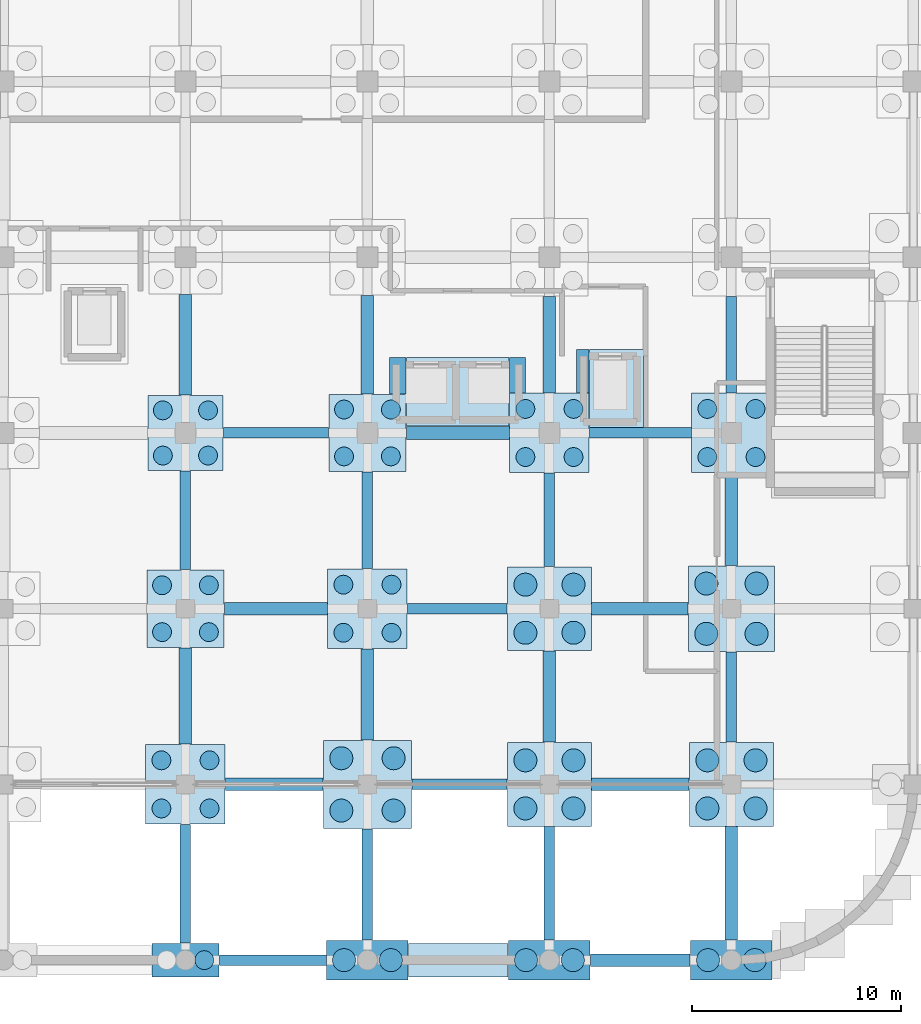
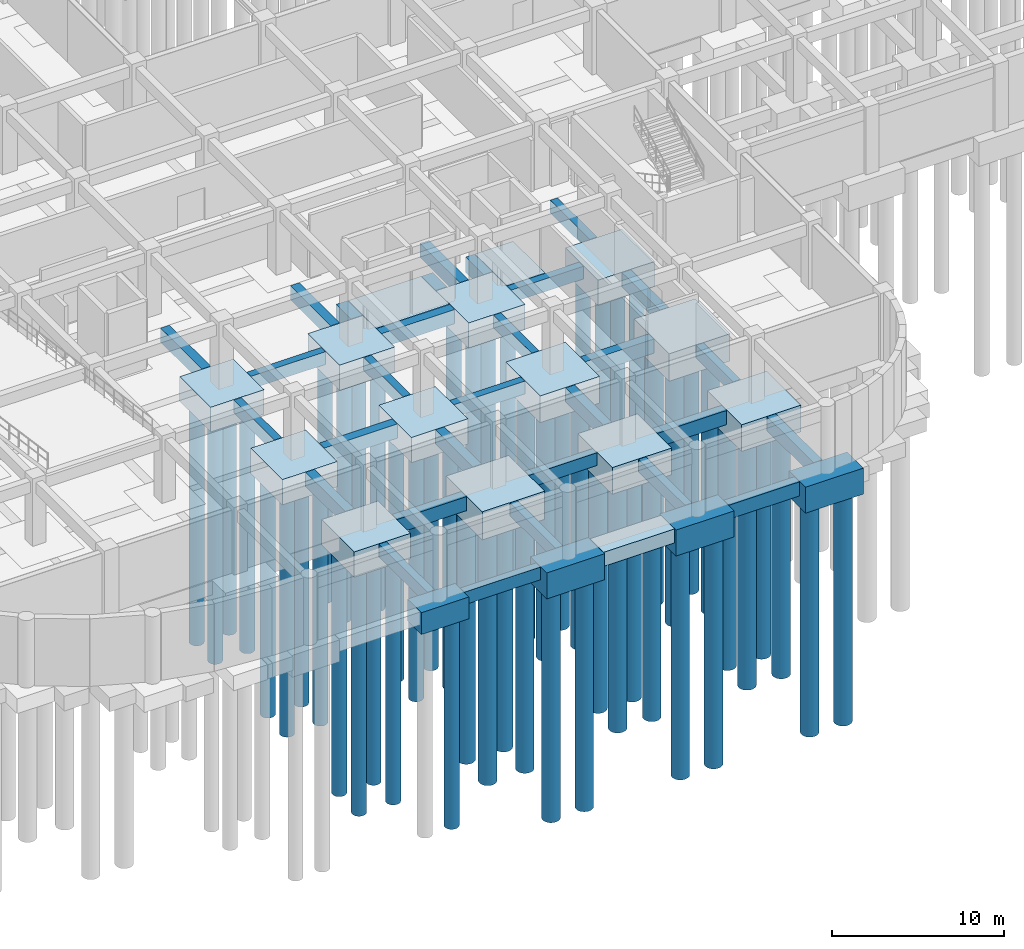
# One storey, part 2 of 33: 55 piles, 49 footings.
"""IFC4 building model written with IfcOpenShell, lengths in metres."""

from ifc_helpers import new_model, si_unit, derived_unit, direction, frame, origin, origin_2d, place, context, subcontext, project, spatial, rectangle, circle, extrude, material, material_profile, profile_set, type_object, element, save


model = new_model("IFC4")

# Units and contexts
model_context = context("Model", 3, precision=1e-05, world=origin(), true_north=direction((0.0, 1.0)))
body_context = subcontext(model_context, "Body", "Model", "MODEL_VIEW")
ifc_project = project(units=[si_unit("LENGTHUNIT", "METRE"), si_unit("AREAUNIT", "SQUARE_METRE"), si_unit("VOLUMEUNIT", "CUBIC_METRE"), si_unit("PLANEANGLEUNIT", "RADIAN"), si_unit("MASSUNIT", "GRAM", prefix="KILO"), derived_unit("THERMALTRANSMITTANCEUNIT", [(si_unit("MASSUNIT", "GRAM", prefix="KILO"), 1), (si_unit("TIMEUNIT", "SECOND"), -3), (si_unit("THERMODYNAMICTEMPERATUREUNIT", "KELVIN"), -1)])], contexts=[model_context])

# Site, building, storey
site_placement = place(None, origin())
site = spatial("IfcSite", under=ifc_project, at=site_placement, CompositionType="ELEMENT")
building_placement = place(site_placement, origin())
building = spatial("IfcBuilding", under=site, at=building_placement, Name="Qinzheling Arcade Emporium", CompositionType="ELEMENT")
storey_placement = place(building_placement, frame((0.0, 0.0, -9.60009765625)))
storey = spatial("IfcBuildingStorey", under=building, at=storey_placement, Name="B2", CompositionType="ELEMENT", Elevation=-9.60009765625)

# Footings
ifc_material = material(Name="Concrete C40", Category="concrete")
footing_type_1 = type_object("IfcFootingType", Name="Canopy Pad Footing 2600x2600x1100 C40", PredefinedType="PAD_FOOTING", material=ifc_material)
footing_1_placement = place(storey_placement, frame((53.800048828125, 28.159912109375, -1.099853515625), z_axis=(0.0, 0.0, 1.0), x_axis=(1.0, 0.0, 0.0)))
element("IfcFooting", 1, at=footing_1_placement, inside=storey, type_object=footing_type_1, Name="Lift Pit Mat Pad FND-PF-LF-LF01-1", PredefinedType="PAD_FOOTING", context=body_context, shape_type="SweptSolid", body=[
    extrude(rectangle(XDim=0.595947265625, YDim=2.075927734375, at=origin_2d()), origin(), (0.0, 0.0, 1.0), 1.10009765625),
])
footing_2_placement = place(storey_placement, frame((55.409912109375, 27.3349609375, -1.099853515625), z_axis=(0.0, 0.0, 1.0), x_axis=(1.0, 0.0, 0.0)))
element("IfcFooting", 2, at=footing_2_placement, inside=storey, type_object=footing_type_1, Name="Lift Pit Mat Pad FND-PF-LF-LF01-2", PredefinedType="PAD_FOOTING", context=body_context, shape_type="SweptSolid", body=[
    extrude(rectangle(XDim=2.575927734375, YDim=3.72607421875, at=origin_2d()), origin(), (0.0, 0.0, 1.0), 1.10009765625),
])
footing_3_placement = place(storey_placement, frame((44.949951171875, 27.93505859375, -1.099853515625), z_axis=(0.0, 0.0, 1.0), x_axis=(1.0, 0.0, 0.0)))
element("IfcFooting", 3, at=footing_3_placement, inside=storey, type_object=footing_type_1, Name="Lift Pit Mat Pad FND-PF-LF-LP01-1", PredefinedType="PAD_FOOTING", context=body_context, shape_type="SweptSolid", body=[
    extrude(rectangle(XDim=0.7958984375, YDim=1.72607421875, at=origin_2d()), origin(), (0.0, 0.0, 1.0), 1.10009765625),
])
footing_4_placement = place(storey_placement, frame((47.824951171875, 27.159912109375, -1.099853515625), z_axis=(0.0, 0.0, 1.0), x_axis=(1.0, 0.0, 0.0)))
element("IfcFooting", 4, at=footing_4_placement, inside=storey, type_object=footing_type_1, Name="Lift Pit Mat Pad FND-PF-LF-LP01-2", PredefinedType="PAD_FOOTING", context=body_context, shape_type="SweptSolid", body=[
    extrude(rectangle(XDim=4.906005859375, YDim=3.27587890625, at=origin_2d()), origin(), (0.0, 0.0, 1.0), 1.10009765625),
])
footing_5_placement = place(storey_placement, frame((50.675048828125, 27.9599609375, -1.099853515625), z_axis=(0.0, 0.0, 1.0), x_axis=(1.0, 0.0, 0.0)))
element("IfcFooting", 5, at=footing_5_placement, inside=storey, type_object=footing_type_1, Name="Lift Pit Mat Pad FND-PF-LF-LP01-3", PredefinedType="PAD_FOOTING", context=body_context, shape_type="SweptSolid", body=[
    extrude(rectangle(XDim=0.74609375, YDim=1.676025390625, at=origin_2d()), origin(), (0.0, 0.0, 1.0), 1.10009765625),
])
footing_type_2 = type_object("IfcFootingType", Name="Foundation Tie Beam 500x900 C40", PredefinedType="FOOTING_BEAM", material=ifc_material)
footing_6_placement = place(storey_placement, frame((38.97509765625, 0.0, -0.89990234375), z_axis=(0.0, 0.0, 1.0), x_axis=(1.0, 0.0, 0.0)))
element("IfcFooting", 6, at=footing_6_placement, inside=storey, type_object=footing_type_2, Name="Foundation Tie FND-FB-001", PredefinedType="FOOTING_BEAM", context=body_context, shape_type="SweptSolid", body=[
    extrude(rectangle(XDim=5.110107421875, YDim=0.5, at=origin_2d()), origin(), (0.0, 0.0, 1.0), 0.89990234375),
])
footing_7_placement = place(storey_placement, frame((47.89990234375, 8.39990234375, -0.89990234375), z_axis=(0.0, 0.0, 1.0), x_axis=(1.0, 0.0, 0.0)))
element("IfcFooting", 7, at=footing_7_placement, inside=storey, type_object=footing_type_2, Name="Foundation Tie FND-FB-009", PredefinedType="FOOTING_BEAM", context=body_context, shape_type="SweptSolid", body=[
    extrude(rectangle(XDim=4.56005859375, YDim=0.5, at=origin_2d()), origin(), (0.0, 0.0, 1.0), 0.89990234375),
])
footing_8_placement = place(storey_placement, frame((47.800048828125, 16.800048828125, -0.89990234375), z_axis=(0.0, 0.0, 1.0), x_axis=(1.0, 0.0, 0.0)))
element("IfcFooting", 8, at=footing_8_placement, inside=storey, type_object=footing_type_2, Name="Foundation Tie FND-FB-023", PredefinedType="FOOTING_BEAM", context=body_context, shape_type="SweptSolid", body=[
    extrude(rectangle(XDim=4.760009765625, YDim=0.5, at=origin_2d()), origin(), (0.0, 0.0, 1.0), 0.89990234375),
])
footing_9_placement = place(storey_placement, frame((39.125, 25.199951171875, -0.89990234375), z_axis=(0.0, 0.0, 1.0), x_axis=(1.0, 0.0, 0.0)))
element("IfcFooting", 9, at=footing_9_placement, inside=storey, type_object=footing_type_2, Name="Foundation Tie FND-FB-037", PredefinedType="FOOTING_BEAM", context=body_context, shape_type="SweptSolid", body=[
    extrude(rectangle(XDim=5.010009765625, YDim=0.5, at=origin_2d()), origin(), (0.0, 0.0, 1.0), 0.89990234375),
])
footing_10_placement = place(storey_placement, frame((56.550048828125, 25.199951171875, -0.89990234375), z_axis=(0.0, 0.0, 1.0), x_axis=(1.0, 0.0, 0.0)))
element("IfcFooting", 10, at=footing_10_placement, inside=storey, type_object=footing_type_2, Name="Foundation Tie FND-FB-039", PredefinedType="FOOTING_BEAM", context=body_context, shape_type="SweptSolid", body=[
    extrude(rectangle(XDim=4.860107421875, YDim=0.5, at=origin_2d()), origin(), (0.0, 0.0, 1.0), 0.89990234375),
])
footing_11_placement = place(storey_placement, frame((34.800048828125, 3.64990234375, -0.89990234375), z_axis=(0.0, 0.0, 1.0), x_axis=(1.0, 0.0, 0.0)))
element("IfcFooting", 11, at=footing_11_placement, inside=storey, type_object=footing_type_2, Name="Foundation Tie FND-FB-199", PredefinedType="FOOTING_BEAM", context=body_context, shape_type="SweptSolid", body=[
    extrude(rectangle(XDim=0.5, YDim=5.659912109375, at=origin_2d()), origin(), (0.0, 0.0, 1.0), 0.89990234375),
])
footing_12_placement = place(storey_placement, frame((34.800048828125, 21.02490234375, -0.89990234375), z_axis=(0.0, 0.0, 1.0), x_axis=(1.0, 0.0, 0.0)))
element("IfcFooting", 12, at=footing_12_placement, inside=storey, type_object=footing_type_2, Name="Foundation Tie FND-FB-201", PredefinedType="FOOTING_BEAM", context=body_context, shape_type="SweptSolid", body=[
    extrude(rectangle(XDim=0.5, YDim=4.7099609375, at=origin_2d()), origin(), (0.0, 0.0, 1.0), 0.89990234375),
])
footing_13_placement = place(storey_placement, frame((43.5, 3.625, -0.89990234375), z_axis=(0.0, 0.0, 1.0), x_axis=(1.0, 0.0, 0.0)))
element("IfcFooting", 13, at=footing_13_placement, inside=storey, type_object=footing_type_2, Name="Foundation Tie FND-FB-207", PredefinedType="FOOTING_BEAM", context=body_context, shape_type="SweptSolid", body=[
    extrude(rectangle(XDim=0.5, YDim=5.31005859375, at=origin_2d()), origin(), (0.0, 0.0, 1.0), 0.89990234375),
])
footing_14_placement = place(storey_placement, frame((43.5, 21.02490234375, -0.89990234375), z_axis=(0.0, 0.0, 1.0), x_axis=(1.0, 0.0, 0.0)))
element("IfcFooting", 14, at=footing_14_placement, inside=storey, type_object=footing_type_2, Name="Foundation Tie FND-FB-209", PredefinedType="FOOTING_BEAM", context=body_context, shape_type="SweptSolid", body=[
    extrude(rectangle(XDim=0.5, YDim=4.610107421875, at=origin_2d()), origin(), (0.0, 0.0, 1.0), 0.89990234375),
])
footing_15_placement = place(storey_placement, frame((52.199951171875, 3.675048828125, -0.89990234375), z_axis=(0.0, 0.0, 1.0), x_axis=(1.0, 0.0, 0.0)))
element("IfcFooting", 15, at=footing_15_placement, inside=storey, type_object=footing_type_2, Name="Foundation Tie FND-FB-215", PredefinedType="FOOTING_BEAM", context=body_context, shape_type="SweptSolid", body=[
    extrude(rectangle(XDim=0.5, YDim=5.409912109375, at=origin_2d()), origin(), (0.0, 0.0, 1.0), 0.89990234375),
])
footing_16_placement = place(storey_placement, frame((52.199951171875, 21.050048828125, -0.89990234375), z_axis=(0.0, 0.0, 1.0), x_axis=(1.0, 0.0, 0.0)))
element("IfcFooting", 16, at=footing_16_placement, inside=storey, type_object=footing_type_2, Name="Foundation Tie FND-FB-217", PredefinedType="FOOTING_BEAM", context=body_context, shape_type="SweptSolid", body=[
    extrude(rectangle(XDim=0.5, YDim=4.4599609375, at=origin_2d()), origin(), (0.0, 0.0, 1.0), 0.89990234375),
])
footing_17_placement = place(storey_placement, frame((60.89990234375, 12.574951171875, -0.89990234375), z_axis=(0.0, 0.0, 1.0), x_axis=(1.0, 0.0, 0.0)))
element("IfcFooting", 17, at=footing_17_placement, inside=storey, type_object=footing_type_2, Name="Foundation Tie FND-FB-225", PredefinedType="FOOTING_BEAM", context=body_context, shape_type="SweptSolid", body=[
    extrude(rectangle(XDim=0.5, YDim=4.31005859375, at=origin_2d()), origin(), (0.0, 0.0, 1.0), 0.89990234375),
])
footing_18_placement = place(storey_placement, frame((60.89990234375, 29.425048828125, -0.89990234375), z_axis=(0.0, 0.0, 1.0), x_axis=(1.0, 0.0, 0.0)))
element("IfcFooting", 18, at=footing_18_placement, inside=storey, type_object=footing_type_2, Name="Foundation Tie FND-FB-227", PredefinedType="FOOTING_BEAM", context=body_context, shape_type="SweptSolid", body=[
    extrude(rectangle(XDim=0.5, YDim=4.610107421875, at=origin_2d()), origin(), (0.0, 0.0, 1.0), 0.89990234375),
])
footing_type_3 = type_object("IfcFootingType", Name="Foundation Tie Beam 600x1000 C40", PredefinedType="FOOTING_BEAM", material=ifc_material)
footing_19_placement = place(storey_placement, frame((56.550048828125, 0.0, -1.0), z_axis=(0.0, 0.0, 1.0), x_axis=(1.0, 0.0, 0.0)))
element("IfcFooting", 19, at=footing_19_placement, inside=storey, type_object=footing_type_3, Name="Foundation Tie FND-FB-002", PredefinedType="FOOTING_BEAM", context=body_context, shape_type="SweptSolid", body=[
    extrude(rectangle(XDim=4.760009765625, YDim=0.60009765625, at=origin_2d()), origin(), (0.0, 0.0, 1.0), 1.0),
])
for number, where, z_axis, x_axis, name in (
    (20, (39.050048828125, 8.39990234375, -1.0), (0.0, 0.0, 1.0), (1.0, 0.0, 0.0), "Foundation Tie FND-FB-008"),
    (21, (56.550048828125, 8.39990234375, -1.0), (0.0, 0.0, 1.0), (1.0, 0.0, 0.0), "Foundation Tie FND-FB-010"),
):
    element("IfcFooting", number, at=place(storey_placement, frame(where, z_axis=z_axis, x_axis=x_axis)), inside=storey, type_object=footing_type_3, Name=name, PredefinedType="FOOTING_BEAM", context=body_context, shape_type="SweptSolid", body=[
        extrude(rectangle(XDim=4.659912109375, YDim=0.60009765625, at=origin_2d()), origin(), (0.0, 0.0, 1.0), 1.0),
    ])
footing_20_placement = place(storey_placement, frame((39.125, 16.800048828125, -1.0), z_axis=(0.0, 0.0, 1.0), x_axis=(1.0, 0.0, 0.0)))
element("IfcFooting", 22, at=footing_20_placement, inside=storey, type_object=footing_type_3, Name="Foundation Tie FND-FB-022", PredefinedType="FOOTING_BEAM", context=body_context, shape_type="SweptSolid", body=[
    extrude(rectangle(XDim=4.909912109375, YDim=0.60009765625, at=origin_2d()), origin(), (0.0, 0.0, 1.0), 1.0),
])
footing_21_placement = place(storey_placement, frame((56.52490234375, 16.800048828125, -1.0), z_axis=(0.0, 0.0, 1.0), x_axis=(1.0, 0.0, 0.0)))
element("IfcFooting", 23, at=footing_21_placement, inside=storey, type_object=footing_type_3, Name="Foundation Tie FND-FB-024", PredefinedType="FOOTING_BEAM", context=body_context, shape_type="SweptSolid", body=[
    extrude(rectangle(XDim=4.610107421875, YDim=0.60009765625, at=origin_2d()), origin(), (0.0, 0.0, 1.0), 1.0),
])
footing_22_placement = place(storey_placement, frame((47.824951171875, 25.199951171875, -1.0), z_axis=(0.0, 0.0, 1.0), x_axis=(1.0, 0.0, 0.0)))
element("IfcFooting", 24, at=footing_22_placement, inside=storey, type_object=footing_type_3, Name="Foundation Tie FND-FB-038", PredefinedType="FOOTING_BEAM", context=body_context, shape_type="SweptSolid", body=[
    extrude(rectangle(XDim=4.909912109375, YDim=0.60009765625, at=origin_2d()), origin(), (0.0, 0.0, 1.0), 1.0),
])
footing_23_placement = place(storey_placement, frame((34.800048828125, 12.625, -1.0), z_axis=(0.0, 0.0, 1.0), x_axis=(1.0, 0.0, 0.0)))
element("IfcFooting", 25, at=footing_23_placement, inside=storey, type_object=footing_type_3, Name="Foundation Tie FND-FB-200", PredefinedType="FOOTING_BEAM", context=body_context, shape_type="SweptSolid", body=[
    extrude(rectangle(XDim=0.60009765625, YDim=4.610107421875, at=origin_2d()), origin(), (0.0, 0.0, 1.0), 1.0),
])
footing_24_placement = place(storey_placement, frame((34.800048828125, 29.425048828125, -1.0), z_axis=(0.0, 0.0, 1.0), x_axis=(1.0, 0.0, 0.0)))
element("IfcFooting", 26, at=footing_24_placement, inside=storey, type_object=footing_type_3, Name="Foundation Tie FND-FB-202", PredefinedType="FOOTING_BEAM", context=body_context, shape_type="SweptSolid", body=[
    extrude(rectangle(XDim=0.60009765625, YDim=4.81005859375, at=origin_2d()), origin(), (0.0, 0.0, 1.0), 1.0),
])
footing_25_placement = place(storey_placement, frame((43.5, 12.699951171875, -1.0), z_axis=(0.0, 0.0, 1.0), x_axis=(1.0, 0.0, 0.0)))
element("IfcFooting", 27, at=footing_25_placement, inside=storey, type_object=footing_type_3, Name="Foundation Tie FND-FB-208", PredefinedType="FOOTING_BEAM", context=body_context, shape_type="SweptSolid", body=[
    extrude(rectangle(XDim=0.60009765625, YDim=4.360107421875, at=origin_2d()), origin(), (0.0, 0.0, 1.0), 1.0),
])
footing_26_placement = place(storey_placement, frame((43.5, 29.425048828125, -1.0), z_axis=(0.0, 0.0, 1.0), x_axis=(1.0, 0.0, 0.0)))
element("IfcFooting", 28, at=footing_26_placement, inside=storey, type_object=footing_type_3, Name="Foundation Tie FND-FB-210", PredefinedType="FOOTING_BEAM", context=body_context, shape_type="SweptSolid", body=[
    extrude(rectangle(XDim=0.60009765625, YDim=4.7099609375, at=origin_2d()), origin(), (0.0, 0.0, 1.0), 1.0),
])
footing_27_placement = place(storey_placement, frame((52.199951171875, 12.60009765625, -1.0), z_axis=(0.0, 0.0, 1.0), x_axis=(1.0, 0.0, 0.0)))
element("IfcFooting", 29, at=footing_27_placement, inside=storey, type_object=footing_type_3, Name="Foundation Tie FND-FB-216", PredefinedType="FOOTING_BEAM", context=body_context, shape_type="SweptSolid", body=[
    extrude(rectangle(XDim=0.60009765625, YDim=4.360107421875, at=origin_2d()), origin(), (0.0, 0.0, 1.0), 1.0),
])
footing_28_placement = place(storey_placement, frame((52.199951171875, 29.425048828125, -1.0), z_axis=(0.0, 0.0, 1.0), x_axis=(1.0, 0.0, 0.0)))
element("IfcFooting", 30, at=footing_28_placement, inside=storey, type_object=footing_type_3, Name="Foundation Tie FND-FB-218", PredefinedType="FOOTING_BEAM", context=body_context, shape_type="SweptSolid", body=[
    extrude(rectangle(XDim=0.60009765625, YDim=4.610107421875, at=origin_2d()), origin(), (0.0, 0.0, 1.0), 1.0),
])
footing_29_placement = place(storey_placement, frame((60.89990234375, 3.675048828125, -1.0), z_axis=(0.0, 0.0, 1.0), x_axis=(1.0, 0.0, 0.0)))
element("IfcFooting", 31, at=footing_29_placement, inside=storey, type_object=footing_type_3, Name="Foundation Tie FND-FB-224", PredefinedType="FOOTING_BEAM", context=body_context, shape_type="SweptSolid", body=[
    extrude(rectangle(XDim=0.60009765625, YDim=5.409912109375, at=origin_2d()), origin(), (0.0, 0.0, 1.0), 1.0),
])
footing_30_placement = place(storey_placement, frame((60.89990234375, 21.074951171875, -1.0), z_axis=(0.0, 0.0, 1.0), x_axis=(1.0, 0.0, 0.0)))
element("IfcFooting", 32, at=footing_30_placement, inside=storey, type_object=footing_type_3, Name="Foundation Tie FND-FB-226", PredefinedType="FOOTING_BEAM", context=body_context, shape_type="SweptSolid", body=[
    extrude(rectangle(XDim=0.60009765625, YDim=4.409912109375, at=origin_2d()), origin(), (0.0, 0.0, 1.0), 1.0),
])
footing_type_4 = type_object("IfcFootingType", Name="Four-Pile Atrium Cap 4000x4000x1900 C40", PredefinedType="PILE_CAP", material=ifc_material)
for number, where, z_axis, x_axis, name in (
    (33, (52.199951171875, 8.39990234375, -1.89990234375), (0.0, 0.0, 1.0), (1.0, 0.0, 0.0), "Pile Cap FND-PC-047"),
    (34, (52.199951171875, 16.800048828125, -1.89990234375), (0.0, 0.0, 1.0), (1.0, 0.0, 0.0), "Pile Cap FND-PC-048"),
    (35, (60.89990234375, 8.39990234375, -1.89990234375), (0.0, 0.0, 1.0), (1.0, 0.0, 0.0), "Pile Cap FND-PC-058"),
):
    element("IfcFooting", number, at=place(storey_placement, frame(where, z_axis=z_axis, x_axis=x_axis)), inside=storey, type_object=footing_type_4, Name=name, PredefinedType="PILE_CAP", context=body_context, shape_type="SweptSolid", body=[
        extrude(rectangle(XDim=4.0, YDim=4.0, at=origin_2d()), origin(), (0.0, 0.0, 1.0), 1.89990234375),
    ])
footing_type_5 = type_object("IfcFootingType", Name="Four-Pile Core Cap 4100x4100x1950 C40", PredefinedType="PILE_CAP", material=ifc_material)
footing_31_placement = place(storey_placement, frame((60.89990234375, 16.800048828125, -1.94970703125), z_axis=(0.0, 0.0, 1.0), x_axis=(1.0, 0.0, 0.0)))
element("IfcFooting", 36, at=footing_31_placement, inside=storey, type_object=footing_type_5, Name="Pile Cap FND-PC-059", PredefinedType="PILE_CAP", context=body_context, shape_type="SweptSolid", body=[
    extrude(rectangle(XDim=4.10009765625, YDim=4.10009765625, at=origin_2d()), origin(), (0.0, 0.0, 1.0), 1.949951171875),
])
footing_type_6 = type_object("IfcFootingType", Name="Four-Pile Flagship Cap 3800x3800x1800 C40", PredefinedType="PILE_CAP", material=ifc_material)
for number, where, z_axis, x_axis, name in (
    (37, (34.800048828125, 8.39990234375, -1.7998046875), (0.0, 0.0, 1.0), (1.0, 0.0, 0.0), "Pile Cap FND-PC-027"),
    (38, (43.5, 16.800048828125, -1.7998046875), (0.0, 0.0, 1.0), (1.0, 0.0, 0.0), "Pile Cap FND-PC-038"),
    (39, (52.199951171875, 25.199951171875, -1.7998046875), (0.0, 0.0, 1.0), (1.0, 0.0, 0.0), "Pile Cap FND-PC-049"),
    (40, (60.89990234375, 25.199951171875, -1.7998046875), (0.0, 0.0, 1.0), (1.0, 0.0, 0.0), "Pile Cap FND-PC-060"),
):
    element("IfcFooting", number, at=place(storey_placement, frame(where, z_axis=z_axis, x_axis=x_axis)), inside=storey, type_object=footing_type_6, Name=name, PredefinedType="PILE_CAP", context=body_context, shape_type="SweptSolid", body=[
        extrude(rectangle(XDim=3.800048828125, YDim=3.800048828125, at=origin_2d()), origin(), (0.0, 0.0, 1.0), 1.800048828125),
    ])
footing_type_7 = type_object("IfcFootingType", Name="Four-Pile Frame Cap 3600x3600x1750 C40", PredefinedType="PILE_CAP", material=ifc_material)
footing_32_placement = place(storey_placement, frame((34.800048828125, 25.199951171875, -1.75), z_axis=(0.0, 0.0, 1.0), x_axis=(1.0, 0.0, 0.0)))
element("IfcFooting", 41, at=footing_32_placement, inside=storey, type_object=footing_type_7, Name="Pile Cap FND-PC-029", PredefinedType="PILE_CAP", context=body_context, shape_type="SweptSolid", body=[
    extrude(rectangle(XDim=3.60009765625, YDim=3.60009765625, at=origin_2d()), origin(), (0.0, 0.0, 1.0), 1.75),
])
footing_type_8 = type_object("IfcFootingType", Name="Four-Pile Heavy Cap 4200x4200x2000 C40", PredefinedType="PILE_CAP", material=ifc_material)
footing_33_placement = place(storey_placement, frame((43.5, 8.39990234375, -2.0), z_axis=(0.0, 0.0, 1.0), x_axis=(1.0, 0.0, 0.0)))
element("IfcFooting", 42, at=footing_33_placement, inside=storey, type_object=footing_type_8, Name="Pile Cap FND-PC-037", PredefinedType="PILE_CAP", context=body_context, shape_type="SweptSolid", body=[
    extrude(rectangle(XDim=4.199951171875, YDim=4.199951171875, at=origin_2d()), origin(), (0.0, 0.0, 1.0), 2.0),
])
footing_type_9 = type_object("IfcFootingType", Name="Four-Pile Retail Cap 3700x3700x1800 C40", PredefinedType="PILE_CAP", material=ifc_material)
for number, where, z_axis, x_axis, name in (
    (43, (34.800048828125, 16.800048828125, -1.7998046875), (0.0, 0.0, 1.0), (1.0, 0.0, 0.0), "Pile Cap FND-PC-028"),
    (44, (43.5, 25.199951171875, -1.7998046875), (0.0, 0.0, 1.0), (1.0, 0.0, 0.0), "Pile Cap FND-PC-039"),
):
    element("IfcFooting", number, at=place(storey_placement, frame(where, z_axis=z_axis, x_axis=x_axis)), inside=storey, type_object=footing_type_9, Name=name, PredefinedType="PILE_CAP", context=body_context, shape_type="SweptSolid", body=[
        extrude(rectangle(XDim=3.699951171875, YDim=3.699951171875, at=origin_2d()), origin(), (0.0, 0.0, 1.0), 1.800048828125),
    ])
footing_type_10 = type_object("IfcFootingType", Name="Retaining Wall Strip Footing 1600x1000 C40", PredefinedType="STRIP_FOOTING", material=ifc_material)
footing_34_placement = place(storey_placement, frame((47.85009765625, 0.0, -1.0), z_axis=(0.0, 0.0, 1.0), x_axis=(1.0, 0.0, 0.0)))
element("IfcFooting", 45, at=footing_34_placement, inside=storey, type_object=footing_type_10, Name="Foundation Tie FND-SF-002", PredefinedType="STRIP_FOOTING", context=body_context, shape_type="SweptSolid", body=[
    extrude(rectangle(XDim=4.760009765625, YDim=1.60009765625, at=origin_2d()), origin(), (0.0, 0.0, 1.0), 1.0),
])

# Piles
ifc_material_profile_1 = material_profile(ifc_material, circle(Radius=0.550048828125, at=origin_2d()), Name="BORED D1100", Category="concrete")
ifc_profile_set_1 = profile_set([ifc_material_profile_1], Name="Concrete C40")
pile_type_1 = type_object("IfcPileType", Name="Rotary Bored Pile D1100 C40", PredefinedType="BORED", material=ifc_profile_set_1)
for number, where, z_axis, x_axis, name in (
    (46, (42.3798828125, 0.0, -1.75), (0.0, 0.0, -1.0), (1.0, 0.0, 0.0), "Bored Pile FND-PL-0115"),
    (47, (44.6201171875, 0.0, -1.75), (0.0, 0.0, -1.0), (1.0, 0.0, 0.0), "Bored Pile FND-PL-0116"),
):
    element("IfcPile", number, at=place(storey_placement, frame(where, z_axis=z_axis, x_axis=x_axis)), inside=storey, type_object=pile_type_1, Name=name, PredefinedType="BORED", context=body_context, shape_type="SweptSolid", body=[
        extrude(circle(Radius=0.550048828125, at=origin_2d()), origin(), (0.0, 0.0, 1.0), 16.5),
    ])
for number, where, z_axis, x_axis, name in (
    (48, (42.25, 7.14990234375, -1.89990234375), (0.0, 0.0, -1.0), (1.0, 0.0, 0.0), "Bored Pile FND-PL-0117"),
    (49, (44.75, 7.14990234375, -1.89990234375), (0.0, 0.0, -1.0), (1.0, 0.0, 0.0), "Bored Pile FND-PL-0118"),
    (50, (42.25, 9.64990234375, -1.89990234375), (0.0, 0.0, -1.0), (1.0, 0.0, 0.0), "Bored Pile FND-PL-0119"),
    (51, (44.75, 9.64990234375, -1.89990234375), (0.0, 0.0, -1.0), (1.0, 0.0, 0.0), "Bored Pile FND-PL-0120"),
):
    element("IfcPile", number, at=place(storey_placement, frame(where, z_axis=z_axis, x_axis=x_axis)), inside=storey, type_object=pile_type_1, Name=name, PredefinedType="BORED", context=body_context, shape_type="SweptSolid", body=[
        extrude(circle(Radius=0.550048828125, at=origin_2d()), origin(), (0.0, 0.0, 1.0), 18.0),
    ])
for number, where, z_axis, x_axis, name in (
    (52, (51.080078125, 0.0, -1.75), (0.0, 0.0, -1.0), (1.0, 0.0, 0.0), "Bored Pile FND-PL-0151"),
    (53, (53.320068359375, 0.0, -1.75), (0.0, 0.0, -1.0), (1.0, 0.0, 0.0), "Bored Pile FND-PL-0152"),
):
    element("IfcPile", number, at=place(storey_placement, frame(where, z_axis=z_axis, x_axis=x_axis)), inside=storey, type_object=pile_type_1, Name=name, PredefinedType="BORED", context=body_context, shape_type="SweptSolid", body=[
        extrude(circle(Radius=0.550048828125, at=origin_2d()), origin(), (0.0, 0.0, 1.0), 16.5),
    ])
for number, where, z_axis, x_axis, name in (
    (54, (51.050048828125, 7.25, -1.7998046875), (0.0, 0.0, -1.0), (1.0, 0.0, 0.0), "Bored Pile FND-PL-0153"),
    (55, (53.35009765625, 7.25, -1.7998046875), (0.0, 0.0, -1.0), (1.0, 0.0, 0.0), "Bored Pile FND-PL-0154"),
    (56, (51.050048828125, 9.550048828125, -1.7998046875), (0.0, 0.0, -1.0), (1.0, 0.0, 0.0), "Bored Pile FND-PL-0155"),
    (57, (53.35009765625, 9.550048828125, -1.7998046875), (0.0, 0.0, -1.0), (1.0, 0.0, 0.0), "Bored Pile FND-PL-0156"),
    (58, (51.050048828125, 15.64990234375, -1.7998046875), (0.0, 0.0, -1.0), (1.0, 0.0, 0.0), "Bored Pile FND-PL-0157"),
    (59, (53.35009765625, 15.64990234375, -1.7998046875), (0.0, 0.0, -1.0), (1.0, 0.0, 0.0), "Bored Pile FND-PL-0158"),
    (60, (51.050048828125, 17.949951171875, -1.7998046875), (0.0, 0.0, -1.0), (1.0, 0.0, 0.0), "Bored Pile FND-PL-0159"),
    (61, (53.35009765625, 17.949951171875, -1.7998046875), (0.0, 0.0, -1.0), (1.0, 0.0, 0.0), "Bored Pile FND-PL-0160"),
):
    element("IfcPile", number, at=place(storey_placement, frame(where, z_axis=z_axis, x_axis=x_axis)), inside=storey, type_object=pile_type_1, Name=name, PredefinedType="BORED", context=body_context, shape_type="SweptSolid", body=[
        extrude(circle(Radius=0.550048828125, at=origin_2d()), origin(), (0.0, 0.0, 1.0), 17.5),
    ])
for number, where, z_axis, x_axis, name in (
    (62, (59.780029296875, 0.0, -1.75), (0.0, 0.0, -1.0), (1.0, 0.0, 0.0), "Bored Pile FND-PL-0189"),
    (63, (62.02001953125, 0.0, -1.75), (0.0, 0.0, -1.0), (1.0, 0.0, 0.0), "Bored Pile FND-PL-0190"),
):
    element("IfcPile", number, at=place(storey_placement, frame(where, z_axis=z_axis, x_axis=x_axis)), inside=storey, type_object=pile_type_1, Name=name, PredefinedType="BORED", context=body_context, shape_type="SweptSolid", body=[
        extrude(circle(Radius=0.550048828125, at=origin_2d()), origin(), (0.0, 0.0, 1.0), 16.5),
    ])
for number, where, z_axis, x_axis, name in (
    (64, (59.75, 7.25, -1.7998046875), (0.0, 0.0, -1.0), (1.0, 0.0, 0.0), "Bored Pile FND-PL-0191"),
    (65, (62.050048828125, 7.25, -1.7998046875), (0.0, 0.0, -1.0), (1.0, 0.0, 0.0), "Bored Pile FND-PL-0192"),
    (66, (59.75, 9.550048828125, -1.7998046875), (0.0, 0.0, -1.0), (1.0, 0.0, 0.0), "Bored Pile FND-PL-0193"),
    (67, (62.050048828125, 9.550048828125, -1.7998046875), (0.0, 0.0, -1.0), (1.0, 0.0, 0.0), "Bored Pile FND-PL-0194"),
):
    element("IfcPile", number, at=place(storey_placement, frame(where, z_axis=z_axis, x_axis=x_axis)), inside=storey, type_object=pile_type_1, Name=name, PredefinedType="BORED", context=body_context, shape_type="SweptSolid", body=[
        extrude(circle(Radius=0.550048828125, at=origin_2d()), origin(), (0.0, 0.0, 1.0), 17.5),
    ])
for number, where, z_axis, x_axis, name in (
    (68, (59.699951171875, 15.60009765625, -1.849853515625), (0.0, 0.0, -1.0), (1.0, 0.0, 0.0), "Bored Pile FND-PL-0195"),
    (69, (62.10009765625, 15.60009765625, -1.849853515625), (0.0, 0.0, -1.0), (1.0, 0.0, 0.0), "Bored Pile FND-PL-0196"),
    (70, (59.699951171875, 18.0, -1.849853515625), (0.0, 0.0, -1.0), (1.0, 0.0, 0.0), "Bored Pile FND-PL-0197"),
    (71, (62.10009765625, 18.0, -1.849853515625), (0.0, 0.0, -1.0), (1.0, 0.0, 0.0), "Bored Pile FND-PL-0198"),
):
    element("IfcPile", number, at=place(storey_placement, frame(where, z_axis=z_axis, x_axis=x_axis)), inside=storey, type_object=pile_type_1, Name=name, PredefinedType="BORED", context=body_context, shape_type="SweptSolid", body=[
        extrude(circle(Radius=0.550048828125, at=origin_2d()), origin(), (0.0, 0.0, 1.0), 18.0),
    ])
ifc_material_profile_2 = material_profile(ifc_material, circle(Radius=0.449951171875, at=origin_2d()), Name="BORED D900", Category="concrete")
ifc_profile_set_2 = profile_set([ifc_material_profile_2], Name="Concrete C40")
pile_type_2 = type_object("IfcPileType", Name="Rotary Bored Pile D900 C40", PredefinedType="BORED", material=ifc_profile_set_2)
pile_placement = place(storey_placement, frame((35.699951171875, 0.0, -1.449951171875), z_axis=(0.0, 0.0, -1.0), x_axis=(1.0, 0.0, 0.0)))
element("IfcPile", 72, at=pile_placement, inside=storey, type_object=pile_type_2, Name="Bored Pile FND-PL-0080", PredefinedType="BORED", context=body_context, shape_type="SweptSolid", body=[
    extrude(circle(Radius=0.449951171875, at=origin_2d()), origin(), (0.0, 0.0, 1.0), 15.0),
])
for number, where, z_axis, x_axis, name in (
    (73, (33.64990234375, 7.25, -1.699951171875), (0.0, 0.0, -1.0), (1.0, 0.0, 0.0), "Bored Pile FND-PL-0081"),
    (74, (35.949951171875, 7.25, -1.699951171875), (0.0, 0.0, -1.0), (1.0, 0.0, 0.0), "Bored Pile FND-PL-0082"),
    (75, (33.64990234375, 9.550048828125, -1.699951171875), (0.0, 0.0, -1.0), (1.0, 0.0, 0.0), "Bored Pile FND-PL-0083"),
    (76, (35.949951171875, 9.550048828125, -1.699951171875), (0.0, 0.0, -1.0), (1.0, 0.0, 0.0), "Bored Pile FND-PL-0084"),
):
    element("IfcPile", number, at=place(storey_placement, frame(where, z_axis=z_axis, x_axis=x_axis)), inside=storey, type_object=pile_type_2, Name=name, PredefinedType="BORED", context=body_context, shape_type="SweptSolid", body=[
        extrude(circle(Radius=0.449951171875, at=origin_2d()), origin(), (0.0, 0.0, 1.0), 17.5),
    ])
for number, where, z_axis, x_axis, name in (
    (77, (33.679931640625, 15.679931640625, -1.699951171875), (0.0, 0.0, -1.0), (1.0, 0.0, 0.0), "Bored Pile FND-PL-0085"),
    (78, (35.919921875, 15.679931640625, -1.699951171875), (0.0, 0.0, -1.0), (1.0, 0.0, 0.0), "Bored Pile FND-PL-0086"),
    (79, (33.679931640625, 17.919921875, -1.699951171875), (0.0, 0.0, -1.0), (1.0, 0.0, 0.0), "Bored Pile FND-PL-0087"),
    (80, (35.919921875, 17.919921875, -1.699951171875), (0.0, 0.0, -1.0), (1.0, 0.0, 0.0), "Bored Pile FND-PL-0088"),
    (81, (33.719970703125, 24.1201171875, -1.64990234375), (0.0, 0.0, -1.0), (1.0, 0.0, 0.0), "Bored Pile FND-PL-0089"),
    (82, (35.8798828125, 24.1201171875, -1.64990234375), (0.0, 0.0, -1.0), (1.0, 0.0, 0.0), "Bored Pile FND-PL-0090"),
    (83, (33.719970703125, 26.280029296875, -1.64990234375), (0.0, 0.0, -1.0), (1.0, 0.0, 0.0), "Bored Pile FND-PL-0091"),
    (84, (35.8798828125, 26.280029296875, -1.64990234375), (0.0, 0.0, -1.0), (1.0, 0.0, 0.0), "Bored Pile FND-PL-0092"),
):
    element("IfcPile", number, at=place(storey_placement, frame(where, z_axis=z_axis, x_axis=x_axis)), inside=storey, type_object=pile_type_2, Name=name, PredefinedType="BORED", context=body_context, shape_type="SweptSolid", body=[
        extrude(circle(Radius=0.449951171875, at=origin_2d()), origin(), (0.0, 0.0, 1.0), 17.0),
    ])
for number, where, z_axis, x_axis, name in (
    (85, (42.35009765625, 15.64990234375, -1.699951171875), (0.0, 0.0, -1.0), (1.0, 0.0, 0.0), "Bored Pile FND-PL-0121"),
    (86, (44.64990234375, 15.64990234375, -1.699951171875), (0.0, 0.0, -1.0), (1.0, 0.0, 0.0), "Bored Pile FND-PL-0122"),
    (87, (42.35009765625, 17.949951171875, -1.699951171875), (0.0, 0.0, -1.0), (1.0, 0.0, 0.0), "Bored Pile FND-PL-0123"),
    (88, (44.64990234375, 17.949951171875, -1.699951171875), (0.0, 0.0, -1.0), (1.0, 0.0, 0.0), "Bored Pile FND-PL-0124"),
):
    element("IfcPile", number, at=place(storey_placement, frame(where, z_axis=z_axis, x_axis=x_axis)), inside=storey, type_object=pile_type_2, Name=name, PredefinedType="BORED", context=body_context, shape_type="SweptSolid", body=[
        extrude(circle(Radius=0.449951171875, at=origin_2d()), origin(), (0.0, 0.0, 1.0), 17.5),
    ])
for number, where, z_axis, x_axis, name in (
    (89, (42.3798828125, 24.080078125, -1.699951171875), (0.0, 0.0, -1.0), (1.0, 0.0, 0.0), "Bored Pile FND-PL-0125"),
    (90, (44.6201171875, 24.080078125, -1.699951171875), (0.0, 0.0, -1.0), (1.0, 0.0, 0.0), "Bored Pile FND-PL-0126"),
    (91, (42.3798828125, 26.320068359375, -1.699951171875), (0.0, 0.0, -1.0), (1.0, 0.0, 0.0), "Bored Pile FND-PL-0127"),
    (92, (44.6201171875, 26.320068359375, -1.699951171875), (0.0, 0.0, -1.0), (1.0, 0.0, 0.0), "Bored Pile FND-PL-0128"),
):
    element("IfcPile", number, at=place(storey_placement, frame(where, z_axis=z_axis, x_axis=x_axis)), inside=storey, type_object=pile_type_2, Name=name, PredefinedType="BORED", context=body_context, shape_type="SweptSolid", body=[
        extrude(circle(Radius=0.449951171875, at=origin_2d()), origin(), (0.0, 0.0, 1.0), 17.0),
    ])
for number, where, z_axis, x_axis, name in (
    (93, (51.050048828125, 24.050048828125, -1.699951171875), (0.0, 0.0, -1.0), (1.0, 0.0, 0.0), "Bored Pile FND-PL-0161"),
    (94, (53.35009765625, 24.050048828125, -1.699951171875), (0.0, 0.0, -1.0), (1.0, 0.0, 0.0), "Bored Pile FND-PL-0162"),
    (95, (51.050048828125, 26.35009765625, -1.699951171875), (0.0, 0.0, -1.0), (1.0, 0.0, 0.0), "Bored Pile FND-PL-0163"),
    (96, (53.35009765625, 26.35009765625, -1.699951171875), (0.0, 0.0, -1.0), (1.0, 0.0, 0.0), "Bored Pile FND-PL-0164"),
    (97, (59.75, 24.050048828125, -1.699951171875), (0.0, 0.0, -1.0), (1.0, 0.0, 0.0), "Bored Pile FND-PL-0199"),
    (98, (62.050048828125, 24.050048828125, -1.699951171875), (0.0, 0.0, -1.0), (1.0, 0.0, 0.0), "Bored Pile FND-PL-0200"),
    (99, (59.75, 26.35009765625, -1.699951171875), (0.0, 0.0, -1.0), (1.0, 0.0, 0.0), "Bored Pile FND-PL-0201"),
    (100, (62.050048828125, 26.35009765625, -1.699951171875), (0.0, 0.0, -1.0), (1.0, 0.0, 0.0), "Bored Pile FND-PL-0202"),
):
    element("IfcPile", number, at=place(storey_placement, frame(where, z_axis=z_axis, x_axis=x_axis)), inside=storey, type_object=pile_type_2, Name=name, PredefinedType="BORED", context=body_context, shape_type="SweptSolid", body=[
        extrude(circle(Radius=0.449951171875, at=origin_2d()), origin(), (0.0, 0.0, 1.0), 17.5),
    ])

# Footings
footing_type_11 = type_object("IfcFootingType", Name="Two-Pile Heavy Cap 3900x1900x1850 C40", PredefinedType="PILE_CAP", material=ifc_material)
for number, where, z_axis, x_axis, name in (
    (101, (43.5, 0.0, -1.849853515625), (0.0, 0.0, 1.0), (1.0, 0.0, 0.0), "Pile Cap FND-PC-036"),
    (102, (52.199951171875, 0.0, -1.849853515625), (0.0, 0.0, 1.0), (1.0, 0.0, 0.0), "Pile Cap FND-PC-046"),
    (103, (60.89990234375, 0.0, -1.849853515625), (0.0, 0.0, 1.0), (1.0, 0.0, 0.0), "Pile Cap FND-PC-057"),
):
    element("IfcFooting", number, at=place(storey_placement, frame(where, z_axis=z_axis, x_axis=x_axis)), inside=storey, type_object=footing_type_11, Name=name, PredefinedType="PILE_CAP", context=body_context, shape_type="SweptSolid", body=[
        extrude(rectangle(XDim=3.89990234375, YDim=1.89990234375, at=origin_2d()), origin(), (0.0, 0.0, 1.0), 1.85009765625),
    ])
footing_type_12 = type_object("IfcFootingType", Name="Two-Pile Pier Cap 3200x1600x1550 C40", PredefinedType="PILE_CAP", material=ifc_material)
footing_35_placement = place(storey_placement, frame((34.800048828125, 0.0, -1.5498046875), z_axis=(0.0, 0.0, 1.0), x_axis=(1.0, 0.0, 0.0)))
element("IfcFooting", 104, at=footing_35_placement, inside=storey, type_object=footing_type_12, Name="Pile Cap FND-PC-026", PredefinedType="PILE_CAP", context=body_context, shape_type="SweptSolid", body=[
    extrude(rectangle(XDim=3.199951171875, YDim=1.60009765625, at=origin_2d()), origin(), (0.0, 0.0, 1.0), 1.550048828125),
])

save(model, "model.ifc")
